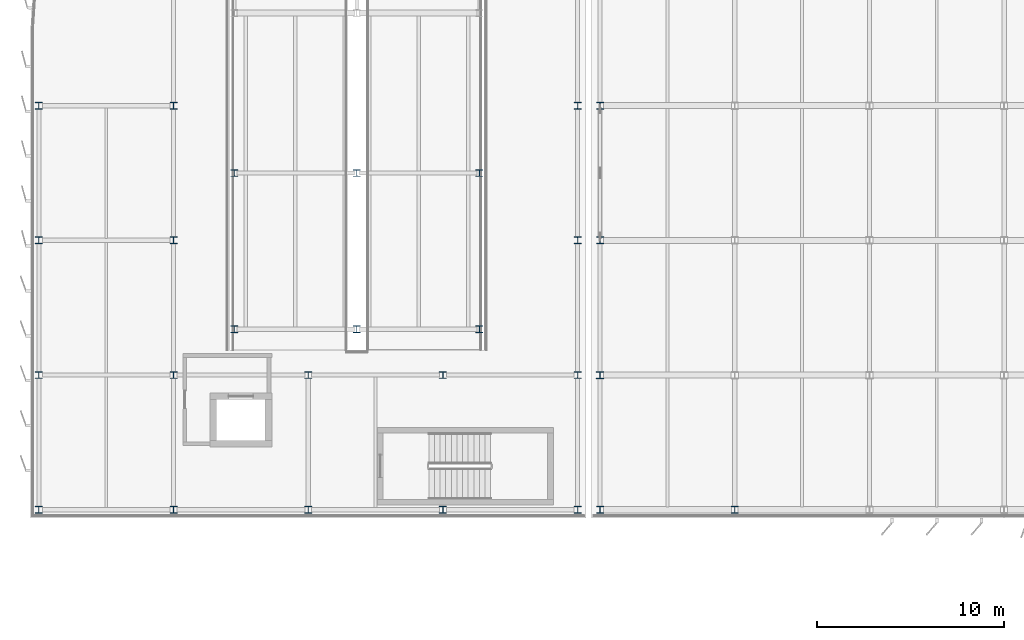
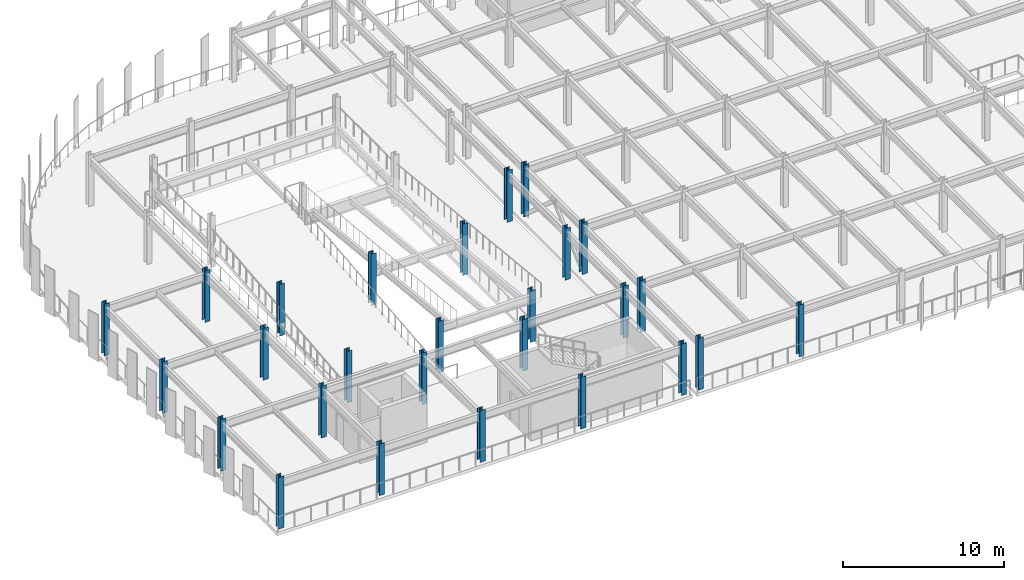
# One storey, part 1 of 80: 27 columns.
"""IFC4 building model written with IfcOpenShell, lengths in metres."""

from ifc_helpers import new_model, si_unit, direction, frame, origin, origin_2d, place, context, subcontext, project, spatial, i_section, extrude, material, material_profile, profile_set, type_object, element, save


model = new_model("IFC4")

# Units and contexts
model_context = context("Model", 3, precision=1e-05, world=origin(), true_north=direction((0.0, 1.0)))
body_context = subcontext(model_context, "Body", "Model", "MODEL_VIEW")
ifc_project = project(units=[si_unit("LENGTHUNIT", "METRE"), si_unit("AREAUNIT", "SQUARE_METRE"), si_unit("VOLUMEUNIT", "CUBIC_METRE"), si_unit("PLANEANGLEUNIT", "RADIAN"), si_unit("MASSUNIT", "GRAM", prefix="KILO")], contexts=[model_context])

# Site, building, storey
site_placement = place(None, origin())
site = spatial("IfcSite", under=ifc_project, at=site_placement, CompositionType="ELEMENT")
building_placement = place(site_placement, origin())
building = spatial("IfcBuilding", under=site, at=building_placement, Name="Vaelcorin Mobility Hub", CompositionType="ELEMENT")
storey_placement = place(building_placement, frame((0.0, 0.0, 9.300048828125)))
storey = spatial("IfcBuildingStorey", under=building, at=storey_placement, Name="L02", CompositionType="ELEMENT", Elevation=9.300048828125)

# Columns
ifc_material = material(Name="Steel ASTM A992 Grade 50", Category="steel")
ifc_material_profile_1 = material_profile(ifc_material, i_section(OverallWidth=0.37109375, OverallDepth=0.363037109375, WebThickness=0.01318359375, FlangeThickness=0.021728515625, FilletRadius=0.014892578125, at=origin_2d()), Name="W14X109")
ifc_profile_set_1 = profile_set([ifc_material_profile_1], Name="Steel ASTM A992 Grade 50")
column_type_1 = type_object("IfcColumnType", Name="COL-W14X109", PredefinedType="COLUMN", material=ifc_profile_set_1)
for number, where, z_axis, x_axis, name in (
    (1, (6.0, 76.800048828125, 0.0), (0.0, 0.0, 1.0), (1.0, 0.0, 0.0), "Column V2W-G1x1 L02"),
    (2, (6.0, 84.0, 0.0), (0.0, 0.0, 1.0), (1.0, 0.0, 0.0), "Column V2W-G1x2 L02"),
    (3, (6.0, 91.199951171875, 0.0), (0.0, 0.0, 1.0), (1.0, 0.0, 0.0), "Column V2W-G1x3 L02"),
    (4, (6.0, 98.39990234375, 0.0), (0.0, 0.0, 1.0), (1.0, 0.0, 0.0), "Column V2W-G1x4 L02"),
    (5, (13.199951171875, 76.800048828125, 0.0), (0.0, 0.0, 1.0), (1.0, 0.0, 0.0), "Column V2W-G2x1 L02"),
    (6, (13.199951171875, 84.0, 0.0), (0.0, 0.0, 1.0), (1.0, 0.0, 0.0), "Column V2W-G2x2 L02"),
    (7, (13.199951171875, 91.199951171875, 0.0), (0.0, 0.0, 1.0), (1.0, 0.0, 0.0), "Column V2W-G2x3 L02"),
    (8, (13.199951171875, 98.39990234375, 0.0), (0.0, 0.0, 1.0), (1.0, 0.0, 0.0), "Column V2W-G2x4 L02"),
    (9, (20.39990234375, 76.800048828125, 0.0), (0.0, 0.0, 1.0), (1.0, 0.0, 0.0), "Column V2W-G3x1 L02"),
    (10, (20.39990234375, 84.0, 0.0), (0.0, 0.0, 1.0), (1.0, 0.0, 0.0), "Column V2W-G3x2 L02"),
    (11, (27.60009765625, 76.800048828125, 0.0), (0.0, 0.0, 1.0), (1.0, 0.0, 0.0), "Column V2W-G4x1 L02"),
    (12, (27.60009765625, 84.0, 0.0), (0.0, 0.0, 1.0), (1.0, 0.0, 0.0), "Column V2W-G4x2 L02"),
    (13, (34.800048828125, 76.800048828125, 0.0), (0.0, 0.0, 1.0), (1.0, 0.0, 0.0), "Column V2W-G5x1 L02"),
    (14, (34.800048828125, 84.0, 0.0), (0.0, 0.0, 1.0), (1.0, 0.0, 0.0), "Column V2W-G5x2 L02"),
    (15, (34.800048828125, 91.199951171875, 0.0), (0.0, 0.0, 1.0), (1.0, 0.0, 0.0), "Column V2W-G5x3 L02"),
    (16, (34.800048828125, 98.39990234375, 0.0), (0.0, 0.0, 1.0), (1.0, 0.0, 0.0), "Column V2W-G5x4 L02"),
):
    element("IfcColumn", number, at=place(storey_placement, frame(where, z_axis=z_axis, x_axis=x_axis)), inside=storey, type_object=column_type_1, Name=name, PredefinedType="COLUMN", context=body_context, shape_type="SweptSolid", body=[
        extrude(i_section(OverallWidth=0.37109375, OverallDepth=0.363037109375, WebThickness=0.01318359375, FlangeThickness=0.021728515625, FilletRadius=0.014892578125, at=origin_2d()), origin(), (0.0, 0.0, 1.0), 3.89990234375),
    ])
ifc_material_profile_2 = material_profile(ifc_material, i_section(OverallWidth=0.373046875, OverallDepth=0.373046875, WebThickness=0.016357421875, FlangeThickness=0.026123046875, FilletRadius=0.014892578125, at=origin_2d()), Name="W14X132")
ifc_profile_set_2 = profile_set([ifc_material_profile_2], Name="Steel ASTM A992 Grade 50")
column_type_2 = type_object("IfcColumnType", Name="COL-W14X132", PredefinedType="COLUMN", material=ifc_profile_set_2)
for number, where, z_axis, x_axis, name in (
    (17, (36.0, 76.800048828125, 0.0), (0.0, 0.0, 1.0), (1.0, 0.0, 0.0), "Column V4-X01Y01 L02"),
    (18, (36.0, 91.199951171875, 0.0), (0.0, 0.0, 1.0), (1.0, 0.0, 0.0), "Column V4-X01Y03 L02"),
    (19, (36.0, 98.39990234375, 0.0), (0.0, 0.0, 1.0), (1.0, 0.0, 0.0), "Column V4-X01Y04 L02"),
    (20, (43.199951171875, 76.800048828125, 0.0), (0.0, 0.0, 1.0), (1.0, 0.0, 0.0), "Column V4-X02Y01 L02"),
):
    element("IfcColumn", number, at=place(storey_placement, frame(where, z_axis=z_axis, x_axis=x_axis)), inside=storey, type_object=column_type_2, Name=name, PredefinedType="COLUMN", context=body_context, shape_type="SweptSolid", body=[
        extrude(i_section(OverallWidth=0.373046875, OverallDepth=0.373046875, WebThickness=0.016357421875, FlangeThickness=0.026123046875, FilletRadius=0.014892578125, at=origin_2d()), origin(), (0.0, 0.0, 1.0), 3.89990234375),
    ])
ifc_material_profile_3 = material_profile(ifc_material, i_section(OverallWidth=0.39599609375, OverallDepth=0.381103515625, WebThickness=0.018798828125, FlangeThickness=0.0302734375, FilletRadius=0.014892578125, at=origin_2d()), Name="W14X159")
ifc_profile_set_3 = profile_set([ifc_material_profile_3], Name="Steel ASTM A992 Grade 50")
column_type_3 = type_object("IfcColumnType", Name="COL-W14X159", PredefinedType="COLUMN", material=ifc_profile_set_3)
column_placement = place(storey_placement, frame((36.0, 84.0, 0.0), z_axis=(0.0, 0.0, 1.0), x_axis=(1.0, 0.0, 0.0)))
element("IfcColumn", 21, at=column_placement, inside=storey, type_object=column_type_3, Name="Column V4-X01Y02 L02", PredefinedType="COLUMN", context=body_context, shape_type="SweptSolid", body=[
    extrude(i_section(OverallWidth=0.39599609375, OverallDepth=0.381103515625, WebThickness=0.018798828125, FlangeThickness=0.0302734375, FilletRadius=0.014892578125, at=origin_2d()), origin(), (0.0, 0.0, 1.0), 3.89990234375),
])
ifc_material_profile_4 = material_profile(ifc_material, i_section(OverallWidth=0.367919921875, OverallDepth=0.35595703125, WebThickness=0.01123046875, FlangeThickness=0.01806640625, FilletRadius=0.014892578125, at=origin_2d()), Name="W14X90")
ifc_profile_set_4 = profile_set([ifc_material_profile_4], Name="Steel ASTM A992 Grade 50")
column_type_4 = type_object("IfcColumnType", Name="COL-W14X90", PredefinedType="COLUMN", material=ifc_profile_set_4)
for number, where, z_axis, x_axis, name in (
    (22, (16.449951171875, 86.449951171875, 0.0), (0.0, 0.0, 1.0), (1.0, 0.0, 0.0), "Column V2W-RDRM-WS L02"),
    (23, (23.0, 86.449951171875, 0.0), (0.0, 0.0, 1.0), (1.0, 0.0, 0.0), "Column V2W-RDRM-MS L02"),
    (24, (29.550048828125, 86.449951171875, 0.0), (0.0, 0.0, 1.0), (1.0, 0.0, 0.0), "Column V2W-RDRM-ES L02"),
    (25, (16.449951171875, 94.800048828125, 0.0), (0.0, 0.0, 1.0), (1.0, 0.0, 0.0), "Column V2W-RDRM-WC L02"),
    (26, (23.0, 94.800048828125, 0.0), (0.0, 0.0, 1.0), (1.0, 0.0, 0.0), "Column V2W-RDRM-MC L02"),
    (27, (29.550048828125, 94.800048828125, 0.0), (0.0, 0.0, 1.0), (1.0, 0.0, 0.0), "Column V2W-RDRM-EC L02"),
):
    element("IfcColumn", number, at=place(storey_placement, frame(where, z_axis=z_axis, x_axis=x_axis)), inside=storey, type_object=column_type_4, Name=name, PredefinedType="COLUMN", context=body_context, shape_type="SweptSolid", body=[
        extrude(i_section(OverallWidth=0.367919921875, OverallDepth=0.35595703125, WebThickness=0.01123046875, FlangeThickness=0.01806640625, FilletRadius=0.014892578125, at=origin_2d()), origin(), (0.0, 0.0, 1.0), 3.89990234375),
    ])

save(model, "model.ifc")
